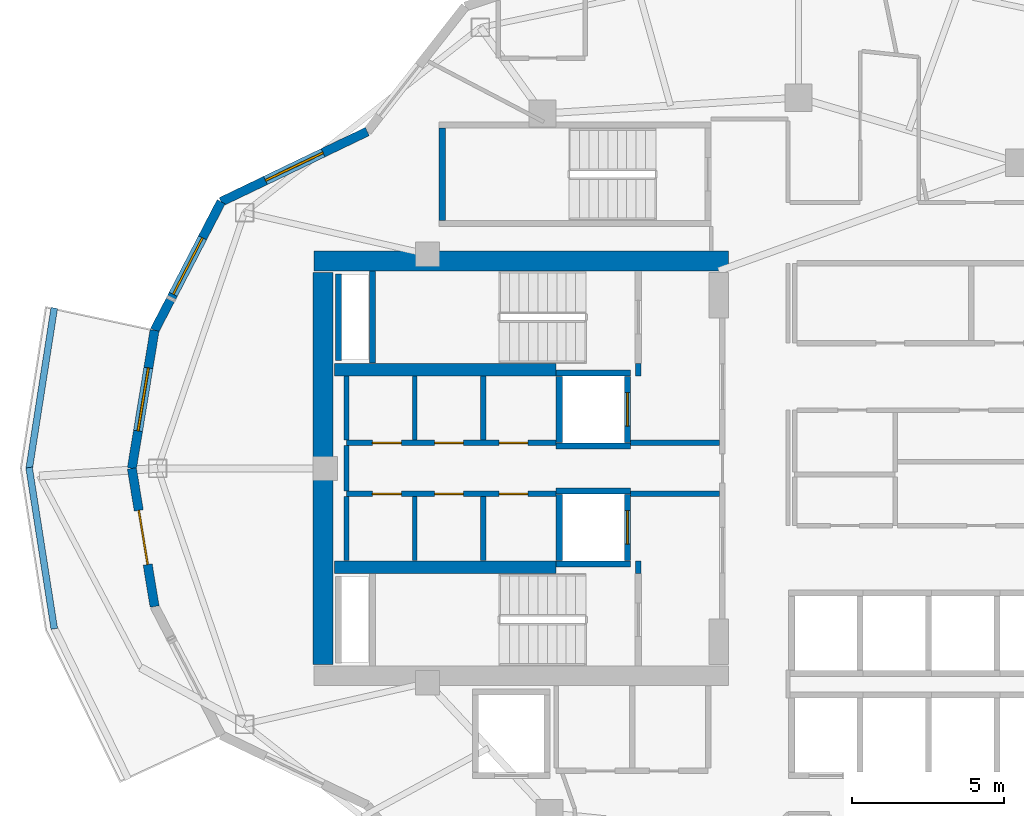
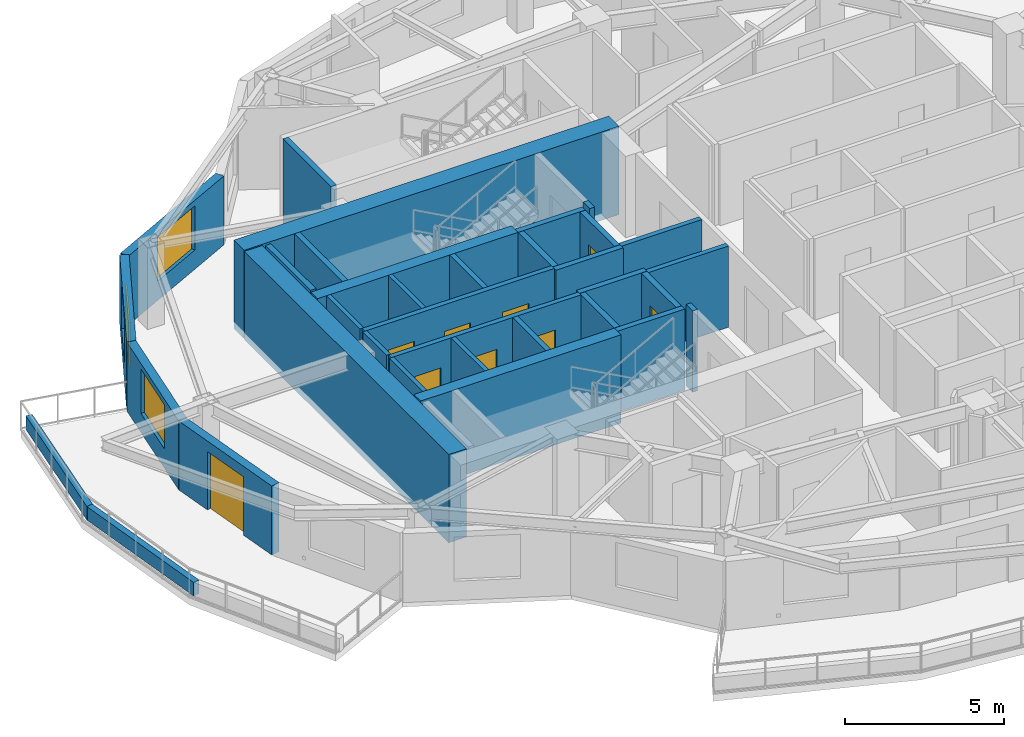
# One storey, part 4 of 11: 34 walls, 9 doors, 3 windows, 12 openings.
"""IFC4 building model written with IfcOpenShell, lengths in metres."""

from ifc_helpers import new_model, si_unit, direction, frame, frame_2d, origin, place, context, subcontext, project, spatial, rectangle, extrude, material, layer, layer_set, type_object, element, fill, save


model = new_model("IFC4")

# Units and contexts
model_context = context("Model", 3, precision=1e-05, world=origin(), true_north=direction((0.0, 1.0)))
body_context = subcontext(model_context, "Body", "Model", "MODEL_VIEW")
ifc_project = project(units=[si_unit("LENGTHUNIT", "METRE"), si_unit("AREAUNIT", "SQUARE_METRE"), si_unit("VOLUMEUNIT", "CUBIC_METRE"), si_unit("PLANEANGLEUNIT", "RADIAN"), si_unit("MASSUNIT", "GRAM", prefix="KILO")], contexts=[model_context])

# Site, building, storey
site_placement = place(None, origin())
site = spatial("IfcSite", under=ifc_project, at=site_placement, CompositionType="ELEMENT")
building_placement = place(site_placement, origin())
building = spatial("IfcBuilding", under=site, at=building_placement, Name="Kolvaren Gate Tower and Convention Centre", CompositionType="ELEMENT")
storey_placement = place(building_placement, frame((0.0, 0.0, 159.699951171875)))
storey = spatial("IfcBuildingStorey", under=building, at=storey_placement, Name="L41", CompositionType="ELEMENT", Elevation=159.699951171875)

# Walls
ifc_material_1 = material(Name="Autoclaved Aerated Masonry Blockwork Class 4 (4.0 MPa)", Category="masonry")
ifc_layer_1 = layer(ifc_material_1, 0.179931640625)
ifc_layer_set_1 = layer_set([ifc_layer_1], Name="Autoclaved Aerated Masonry Blockwork Class 4 (4.0 MPa)")
wall_type_1 = type_object("IfcWallType", Name="ARCH-WL-COMP-180", PredefinedType="SOLIDWALL", material=ifc_layer_set_1)
for number, where, z_axis, x_axis, name in (
    (1, (24.85009765625, 23.5400390625, 0.0), (0.0, 0.0, 1.0), (0.0, 1.0, 0.0), "Interior Partition WL-L41-INT-001"),
    (2, (24.85009765625, 30.0400390625, 0.0), (0.0, 0.0, 1.0), (0.0, 1.0, 0.0), "Interior Partition WL-L41-INT-002"),
):
    element("IfcWall", number, at=place(storey_placement, frame(where, z_axis=z_axis, x_axis=x_axis)), inside=storey, type_object=wall_type_1, Name=name, PredefinedType="SOLIDWALL", context=body_context, shape_type="SweptSolid", body=[
        extrude(rectangle(XDim=0.419921875, YDim=0.179931640625, at=frame_2d((0.2099609375, 0.0))), origin(), (0.0, 0.0, 1.0), 3.130126953125),
    ])

# Wall, openings, doors
wall_1_placement = place(storey_placement, frame((15.25, 27.840087890625, 0.0), z_axis=(0.0, 0.0, 1.0), x_axis=(1.0, 0.0, 0.0)))
wall_1 = element("IfcWall", 3, at=wall_1_placement, inside=storey, type_object=wall_type_1, Name="Interior Partition WL-L41-INT-004", PredefinedType="SOLIDWALL", context=body_context, shape_type="SweptSolid", body=[
    extrude(rectangle(XDim=6.89990234375, YDim=0.179931640625, at=frame_2d((3.449951171875, 0.0))), origin(), (0.0, 0.0, 1.0), 3.130126953125),
])
opening_1_placement = place(wall_1_placement, frame((5.02001953125, 0.0, 0.0)))
opening_1 = element("IfcOpeningElement", 4, at=opening_1_placement, cuts=wall_1, Name="Opening DR-01", PredefinedType="OPENING", context=body_context, shape_type="SweptSolid", body=[
    extrude(rectangle(XDim=0.949951171875, YDim=2.10009765625, at=frame_2d((0.47509765625, 1.050048828125))), frame((0.0, 0.099853515625, 0.0), z_axis=(0.0, -1.0, 0.0), x_axis=(1.0, 0.0, 0.0)), (0.0, 0.0, 1.0), 0.199951171875),
])
opening_2_placement = place(wall_1_placement, frame((0.85498046875, 0.0, 0.0)))
opening_2 = element("IfcOpeningElement", 5, at=opening_2_placement, cuts=wall_1, Name="Opening DR-01", PredefinedType="OPENING", context=body_context, shape_type="SweptSolid", body=[
    extrude(rectangle(XDim=0.949951171875, YDim=2.10009765625, at=frame_2d((0.47509765625, 1.050048828125))), frame((0.0, 0.099853515625, 0.0), z_axis=(0.0, -1.0, 0.0), x_axis=(1.0, 0.0, 0.0)), (0.0, 0.0, 1.0), 0.199951171875),
])
opening_3_placement = place(wall_1_placement, frame((2.89990234375, 0.0, 0.0)))
opening_3 = element("IfcOpeningElement", 6, at=opening_3_placement, cuts=wall_1, Name="Opening DR-01", PredefinedType="OPENING", context=body_context, shape_type="SweptSolid", body=[
    extrude(rectangle(XDim=0.949951171875, YDim=2.10009765625, at=frame_2d((0.47509765625, 1.050048828125))), frame((0.0, 0.099853515625, 0.0), z_axis=(0.0, -1.0, 0.0), x_axis=(1.0, 0.0, 0.0)), (0.0, 0.0, 1.0), 0.199951171875),
])
ifc_material_2 = material(Name="Painted Architectural Steelwork ASTM A500 Grade C 345 MPa", Category="steel")
door_type_1 = type_object("IfcDoorType", Name="ARCH-DR-RISER-950", OperationType="SINGLE_SWING_RIGHT", PredefinedType="DOOR", material=ifc_material_2)
door_1_placement = place(opening_1_placement, origin())
door_1 = element("IfcDoor", 7, at=door_1_placement, inside=storey, type_object=door_type_1, Name="Electrical Switchgear Closet Door", OperationType="SINGLE_SWING_RIGHT", OverallHeight=2.10009765625, OverallWidth=0.949951171875, PredefinedType="DOOR", context=body_context, shape_type="SweptSolid", body=[
    extrude(rectangle(XDim=0.949951171875, YDim=2.10009765625, at=frame_2d((0.47509765625, 1.050048828125))), frame((0.0, 0.02490234375, 0.0), z_axis=(0.0, -1.0, 0.0), x_axis=(1.0, 0.0, 0.0)), (0.0, 0.0, 1.0), 0.050048828125),
])
fill(opening_1, door_1)
door_2_placement = place(opening_2_placement, origin())
door_2 = element("IfcDoor", 8, at=door_2_placement, inside=storey, type_object=door_type_1, Name="Staff Accessible WC Door", OperationType="SINGLE_SWING_RIGHT", OverallHeight=2.10009765625, OverallWidth=0.949951171875, PredefinedType="DOOR", context=body_context, shape_type="SweptSolid", body=[
    extrude(rectangle(XDim=0.949951171875, YDim=2.10009765625, at=frame_2d((0.47509765625, 1.050048828125))), frame((0.0, 0.02490234375, 0.0), z_axis=(0.0, -1.0, 0.0), x_axis=(1.0, 0.0, 0.0)), (0.0, 0.0, 1.0), 0.050048828125),
])
fill(opening_2, door_2)
door_3_placement = place(opening_3_placement, origin())
door_3 = element("IfcDoor", 9, at=door_3_placement, inside=storey, type_object=door_type_1, Name="Housekeeping Sink Closet Door", OperationType="SINGLE_SWING_LEFT", OverallHeight=2.10009765625, OverallWidth=0.949951171875, PredefinedType="DOOR", context=body_context, shape_type="SweptSolid", body=[
    extrude(rectangle(XDim=0.949951171875, YDim=2.10009765625, at=frame_2d((0.47509765625, 1.050048828125))), frame((0.0, 0.02490234375, 0.0), z_axis=(0.0, -1.0, 0.0), x_axis=(1.0, 0.0, 0.0)), (0.0, 0.0, 1.0), 0.050048828125),
])
fill(opening_3, door_3)

# Wall
wall_2_placement = place(storey_placement, frame((24.60009765625, 27.840087890625, 0.0), z_axis=(0.0, 0.0, 1.0), x_axis=(1.0, 0.0, 0.0)))
element("IfcWall", 10, at=wall_2_placement, inside=storey, type_object=wall_type_1, Name="Interior Partition WL-L41-INT-004 (2)", PredefinedType="SOLIDWALL", context=body_context, shape_type="SweptSolid", body=[
    extrude(rectangle(XDim=2.927978515625, YDim=0.179931640625, at=frame_2d((1.4638671875, 0.0))), origin(), (0.0, 0.0, 1.0), 3.130126953125),
])

# Wall, openings, doors
wall_3_placement = place(storey_placement, frame((15.25, 26.159912109375, 0.0), z_axis=(0.0, 0.0, 1.0), x_axis=(1.0, 0.0, 0.0)))
wall_3 = element("IfcWall", 11, at=wall_3_placement, inside=storey, type_object=wall_type_1, Name="Interior Partition WL-L41-INT-005", PredefinedType="SOLIDWALL", context=body_context, shape_type="SweptSolid", body=[
    extrude(rectangle(XDim=6.89990234375, YDim=0.179931640625, at=frame_2d((3.449951171875, 0.0))), origin(), (0.0, 0.0, 1.0), 3.130126953125),
])
opening_4_placement = place(wall_3_placement, frame((5.02001953125, 0.0, 0.0)))
opening_4 = element("IfcOpeningElement", 12, at=opening_4_placement, cuts=wall_3, Name="Opening DR-01", PredefinedType="OPENING", context=body_context, shape_type="SweptSolid", body=[
    extrude(rectangle(XDim=0.949951171875, YDim=2.10009765625, at=frame_2d((0.47509765625, 1.050048828125))), frame((0.0, 0.099853515625, 0.0), z_axis=(0.0, -1.0, 0.0), x_axis=(1.0, 0.0, 0.0)), (0.0, 0.0, 1.0), 0.199951171875),
])
opening_5_placement = place(wall_3_placement, frame((0.85498046875, 0.0, 0.0)))
opening_5 = element("IfcOpeningElement", 13, at=opening_5_placement, cuts=wall_3, Name="Opening DR-01", PredefinedType="OPENING", context=body_context, shape_type="SweptSolid", body=[
    extrude(rectangle(XDim=0.949951171875, YDim=2.10009765625, at=frame_2d((0.47509765625, 1.050048828125))), frame((0.0, 0.099853515625, 0.0), z_axis=(0.0, -1.0, 0.0), x_axis=(1.0, 0.0, 0.0)), (0.0, 0.0, 1.0), 0.199951171875),
])
opening_6_placement = place(wall_3_placement, frame((2.89990234375, 0.0, 0.0)))
opening_6 = element("IfcOpeningElement", 14, at=opening_6_placement, cuts=wall_3, Name="Opening DR-01", PredefinedType="OPENING", context=body_context, shape_type="SweptSolid", body=[
    extrude(rectangle(XDim=0.949951171875, YDim=2.10009765625, at=frame_2d((0.47509765625, 1.050048828125))), frame((0.0, 0.099853515625, 0.0), z_axis=(0.0, -1.0, 0.0), x_axis=(1.0, 0.0, 0.0)), (0.0, 0.0, 1.0), 0.199951171875),
])
door_4_placement = place(opening_4_placement, origin())
door_4 = element("IfcDoor", 15, at=door_4_placement, inside=storey, type_object=door_type_1, Name="Domestic Water Meter Closet Door", OperationType="SINGLE_SWING_LEFT", OverallHeight=2.10009765625, OverallWidth=0.949951171875, PredefinedType="DOOR", context=body_context, shape_type="SweptSolid", body=[
    extrude(rectangle(XDim=0.949951171875, YDim=2.10009765625, at=frame_2d((0.47509765625, 1.050048828125))), frame((0.0, 0.02490234375, 0.0), z_axis=(0.0, -1.0, 0.0), x_axis=(1.0, 0.0, 0.0)), (0.0, 0.0, 1.0), 0.050048828125),
])
fill(opening_4, door_4)
door_5_placement = place(opening_5_placement, origin())
door_5 = element("IfcDoor", 16, at=door_5_placement, inside=storey, type_object=door_type_1, Name="Beverage Service Pantry Door", OperationType="SINGLE_SWING_RIGHT", OverallHeight=2.10009765625, OverallWidth=0.949951171875, PredefinedType="DOOR", context=body_context, shape_type="SweptSolid", body=[
    extrude(rectangle(XDim=0.949951171875, YDim=2.10009765625, at=frame_2d((0.47509765625, 1.050048828125))), frame((0.0, 0.02490234375, 0.0), z_axis=(0.0, -1.0, 0.0), x_axis=(1.0, 0.0, 0.0)), (0.0, 0.0, 1.0), 0.050048828125),
])
fill(opening_5, door_5)
door_6_placement = place(opening_6_placement, origin())
door_6 = element("IfcDoor", 17, at=door_6_placement, inside=storey, type_object=door_type_1, Name="Archive Supply Closet Door", OperationType="SINGLE_SWING_LEFT", OverallHeight=2.10009765625, OverallWidth=0.949951171875, PredefinedType="DOOR", context=body_context, shape_type="SweptSolid", body=[
    extrude(rectangle(XDim=0.949951171875, YDim=2.10009765625, at=frame_2d((0.47509765625, 1.050048828125))), frame((0.0, 0.02490234375, 0.0), z_axis=(0.0, -1.0, 0.0), x_axis=(1.0, 0.0, 0.0)), (0.0, 0.0, 1.0), 0.050048828125),
])
fill(opening_6, door_6)

# Walls
wall_4_placement = place(storey_placement, frame((24.60009765625, 26.159912109375, 0.0), z_axis=(0.0, 0.0, 1.0), x_axis=(1.0, 0.0, 0.0)))
element("IfcWall", 18, at=wall_4_placement, inside=storey, type_object=wall_type_1, Name="Interior Partition WL-L41-INT-005 (2)", PredefinedType="SOLIDWALL", context=body_context, shape_type="SweptSolid", body=[
    extrude(rectangle(XDim=2.927978515625, YDim=0.179931640625, at=frame_2d((1.4638671875, 0.0))), origin(), (0.0, 0.0, 1.0), 3.130126953125),
])
for number, where, z_axis, x_axis, name in (
    (19, (19.75, 23.9619140625, 0.0), (0.0, 0.0, 1.0), (0.0, 1.0, 0.0), "Interior Partition WL-L41-INT-007"),
    (20, (19.75, 27.931884765625, 0.0), (0.0, 0.0, 1.0), (0.0, 1.0, 0.0), "Interior Partition WL-L41-INT-008"),
):
    element("IfcWall", number, at=place(storey_placement, frame(where, z_axis=z_axis, x_axis=x_axis)), inside=storey, type_object=wall_type_1, Name=name, PredefinedType="SOLIDWALL", context=body_context, shape_type="SweptSolid", body=[
        extrude(rectangle(XDim=2.106201171875, YDim=0.179931640625, at=frame_2d((1.05322265625, 0.0))), origin(), (0.0, 0.0, 1.0), 3.130126953125),
    ])
ifc_material_3 = material(Name="Piedmont Cream Honed Limestone Cladding", Category="masonry")
ifc_layer_2 = layer(ifc_material_3, 0.219970703125)
ifc_layer_set_2 = layer_set([ifc_layer_2], Name="Piedmont Cream Honed Limestone Cladding")
wall_type_2 = type_object("IfcWallType", Name="ARCH-WL-PLANTER-220", PredefinedType="PARAPET", material=ifc_layer_set_2)
for number, where, z_axis, x_axis, name in (
    (21, (4.805908203125, 26.970703125, 0.0), (0.0, 0.0, 1.0), (0.154245214003, 0.988032597619, 0.0), "Vertical-Forest Balcony Stone Planter Kerb PK-L41-2.1"),
    (22, (4.805908203125, 27.029296875, 0.0), (0.0, 0.0, 1.0), (0.154245214003, -0.988032597619, 0.0), "Vertical-Forest Balcony Stone Planter Kerb PK-L41-2.2"),
):
    element("IfcWall", number, at=place(storey_placement, frame(where, z_axis=z_axis, x_axis=x_axis)), inside=storey, type_object=wall_type_2, Name=name, PredefinedType="PARAPET", context=body_context, shape_type="SweptSolid", body=[
        extrude(rectangle(XDim=5.37353515625, YDim=0.219970703125, at=frame_2d((2.686767578125, 0.0))), origin(), (0.0, 0.0, 1.0), 0.52001953125),
    ])
ifc_layer_3 = layer(ifc_material_1, 0.199951171875)
ifc_layer_set_3 = layer_set([ifc_layer_3], Name="Autoclaved Aerated Masonry Blockwork Class 4 (4.0 MPa)")
wall_type_3 = type_object("IfcWallType", Name="ARCH-WL-SHAFT-200", PredefinedType="SOLIDWALL", material=ifc_layer_set_3)
for number, where, z_axis, x_axis, name in (
    (23, (22.14990234375, 30.139892578125, 0.0), (0.0, 0.0, 1.0), (1.0, 0.0, 0.0), "Elevator FF-01 L41 Fire Shaft Wall N"),
    (24, (22.14990234375, 27.739990234375, 0.0), (0.0, 0.0, 1.0), (1.0, 0.0, 0.0), "Elevator FF-01 L41 Fire Shaft Wall S"),
):
    element("IfcWall", number, at=place(storey_placement, frame(where, z_axis=z_axis, x_axis=x_axis)), inside=storey, type_object=wall_type_3, Name=name, PredefinedType="SOLIDWALL", context=body_context, shape_type="SweptSolid", body=[
        extrude(rectangle(XDim=2.4501953125, YDim=0.199951171875, at=frame_2d((1.22509765625, 0.0))), origin(), (0.0, 0.0, 1.0), 3.130126953125),
    ])
wall_5_placement = place(storey_placement, frame((22.25, 27.85009765625, 0.0), z_axis=(0.0, 0.0, 1.0), x_axis=(0.0, 1.0, 0.0)))
element("IfcWall", 25, at=wall_5_placement, inside=storey, type_object=wall_type_3, Name="Elevator FF-01 L41 Fire Shaft Wall W", PredefinedType="SOLIDWALL", context=body_context, shape_type="SweptSolid", body=[
    extrude(rectangle(XDim=2.179931640625, YDim=0.199951171875, at=frame_2d((1.08984375, 0.0))), origin(), (0.0, 0.0, 1.0), 3.130126953125),
])

# Wall, opening, door
wall_6_placement = place(storey_placement, frame((24.5, 27.85009765625, 0.0), z_axis=(0.0, 0.0, 1.0), x_axis=(0.0, 1.0, 0.0)))
wall_6 = element("IfcWall", 26, at=wall_6_placement, inside=storey, type_object=wall_type_3, Name="Elevator FF-01 L41 Fire Shaft Wall E", PredefinedType="SOLIDWALL", context=body_context, shape_type="SweptSolid", body=[
    extrude(rectangle(XDim=2.179931640625, YDim=0.199951171875, at=frame_2d((1.08984375, 0.0))), origin(), (0.0, 0.0, 1.0), 3.130126953125),
])
opening_7_placement = place(wall_6_placement, frame((0.5400390625, 0.0, 0.0)))
opening_7 = element("IfcOpeningElement", 27, at=opening_7_placement, cuts=wall_6, Name="Opening LD", PredefinedType="OPENING", context=body_context, shape_type="SweptSolid", body=[
    extrude(rectangle(XDim=1.10009765625, YDim=2.199951171875, at=frame_2d((0.550048828125, 1.10009765625))), frame((0.0, 0.10986328125, 0.0), z_axis=(0.0, -1.0, 0.0), x_axis=(1.0, 0.0, 0.0)), (0.0, 0.0, 1.0), 0.219970703125),
])
ifc_material_4 = material(Name="Brushed Stainless Steel Grade 316L", Category="steel")
door_type_2 = type_object("IfcDoorType", Name="ARCH-DR-LIFT-1100", OperationType="SLIDING_TO_LEFT", PredefinedType="DOOR", material=ifc_material_4)
door_7_placement = place(opening_7_placement, origin())
door_7 = element("IfcDoor", 28, at=door_7_placement, inside=storey, type_object=door_type_2, Name="Elevator FF-01 L41 Sliding Landing Door", OperationType="SLIDING_TO_LEFT", OverallHeight=2.199951171875, OverallWidth=1.10009765625, PredefinedType="DOOR", context=body_context, shape_type="SweptSolid", body=[
    extrude(rectangle(XDim=1.10009765625, YDim=2.199951171875, at=frame_2d((0.550048828125, 1.10009765625))), frame((0.0, 0.02490234375, 0.0), z_axis=(0.0, -1.0, 0.0), x_axis=(1.0, 0.0, 0.0)), (0.0, 0.0, 1.0), 0.050048828125),
])
fill(opening_7, door_7)

# Walls
for number, where, z_axis, x_axis, name in (
    (29, (22.14990234375, 26.260009765625, 0.0), (0.0, 0.0, 1.0), (1.0, 0.0, 0.0), "Elevator FF-02 L41 Fire Shaft Wall N"),
    (30, (22.14990234375, 23.860107421875, 0.0), (0.0, 0.0, 1.0), (1.0, 0.0, 0.0), "Elevator FF-02 L41 Fire Shaft Wall S"),
):
    element("IfcWall", number, at=place(storey_placement, frame(where, z_axis=z_axis, x_axis=x_axis)), inside=storey, type_object=wall_type_3, Name=name, PredefinedType="SOLIDWALL", context=body_context, shape_type="SweptSolid", body=[
        extrude(rectangle(XDim=2.4501953125, YDim=0.199951171875, at=frame_2d((1.22509765625, 0.0))), origin(), (0.0, 0.0, 1.0), 3.130126953125),
    ])
wall_7_placement = place(storey_placement, frame((22.25, 23.969970703125, 0.0), z_axis=(0.0, 0.0, 1.0), x_axis=(0.0, 1.0, 0.0)))
element("IfcWall", 31, at=wall_7_placement, inside=storey, type_object=wall_type_3, Name="Elevator FF-02 L41 Fire Shaft Wall W", PredefinedType="SOLIDWALL", context=body_context, shape_type="SweptSolid", body=[
    extrude(rectangle(XDim=2.179931640625, YDim=0.199951171875, at=frame_2d((1.08984375, 0.0))), origin(), (0.0, 0.0, 1.0), 3.130126953125),
])

# Wall, opening, door
wall_8_placement = place(storey_placement, frame((24.5, 23.969970703125, 0.0), z_axis=(0.0, 0.0, 1.0), x_axis=(0.0, 1.0, 0.0)))
wall_8 = element("IfcWall", 32, at=wall_8_placement, inside=storey, type_object=wall_type_3, Name="Elevator FF-02 L41 Fire Shaft Wall E", PredefinedType="SOLIDWALL", context=body_context, shape_type="SweptSolid", body=[
    extrude(rectangle(XDim=2.179931640625, YDim=0.199951171875, at=frame_2d((1.08984375, 0.0))), origin(), (0.0, 0.0, 1.0), 3.130126953125),
])
opening_8_placement = place(wall_8_placement, frame((0.5400390625, 0.0, 0.0)))
opening_8 = element("IfcOpeningElement", 33, at=opening_8_placement, cuts=wall_8, Name="Opening LD", PredefinedType="OPENING", context=body_context, shape_type="SweptSolid", body=[
    extrude(rectangle(XDim=1.10009765625, YDim=2.199951171875, at=frame_2d((0.550048828125, 1.10009765625))), frame((0.0, 0.10986328125, 0.0), z_axis=(0.0, -1.0, 0.0), x_axis=(1.0, 0.0, 0.0)), (0.0, 0.0, 1.0), 0.219970703125),
])
door_8_placement = place(opening_8_placement, origin())
door_8 = element("IfcDoor", 34, at=door_8_placement, inside=storey, type_object=door_type_2, Name="Elevator FF-02 L41 Sliding Landing Door", OperationType="SLIDING_TO_LEFT", OverallHeight=2.199951171875, OverallWidth=1.10009765625, PredefinedType="DOOR", context=body_context, shape_type="SweptSolid", body=[
    extrude(rectangle(XDim=1.10009765625, YDim=2.199951171875, at=frame_2d((0.550048828125, 1.10009765625))), frame((0.0, 0.02490234375, 0.0), z_axis=(0.0, -1.0, 0.0), x_axis=(1.0, 0.0, 0.0)), (0.0, 0.0, 1.0), 0.050048828125),
])
fill(opening_8, door_8)

# Wall
wall_9_placement = place(storey_placement, frame((14.989990234375, 30.550048828125, 0.0), z_axis=(0.0, 0.0, 1.0), x_axis=(0.0, 1.0, 0.0)))
element("IfcWall", 35, at=wall_9_placement, inside=storey, type_object=wall_type_3, Name="Vertical Shaft HVR L41 EI-120 Enclosure Wall W", PredefinedType="SOLIDWALL", context=body_context, shape_type="SweptSolid", body=[
    extrude(rectangle(XDim=2.849853515625, YDim=0.199951171875, at=frame_2d((1.4248046875, 0.0))), origin(), (0.0, 0.0, 1.0), 3.130126953125),
])

# Wall, opening, window
ifc_layer_4 = layer(ifc_material_3, 0.300048828125)
ifc_layer_set_4 = layer_set([ifc_layer_4], Name="Piedmont Cream Honed Limestone Cladding")
wall_type_4 = type_object("IfcWallType", Name="ARCH-WL-STONE-300", PredefinedType="SOLIDWALL", material=ifc_layer_set_4)
wall_10_placement = place(storey_placement, frame((11.126708984375, 35.77490234375, 0.0), z_axis=(0.0, 0.0, 1.0), x_axis=(0.901353070301, 0.433085029363, 0.0)))
wall_10 = element("IfcWall", 36, at=wall_10_placement, inside=storey, type_object=wall_type_4, Name="Tower L41 Honed Stone Spandrel Wall EW-09", PredefinedType="SOLIDWALL", context=body_context, shape_type="SweptSolid", body=[
    extrude(rectangle(XDim=5.336181640625, YDim=0.300048828125, at=frame_2d((2.66796875, 0.0))), origin(), (0.0, 0.0, 1.0), 2.653076171875),
])
opening_9_placement = place(wall_10_placement, frame((1.617919921875, 0.0, 0.739990234375)))
opening_9 = element("IfcOpeningElement", 37, at=opening_9_placement, cuts=wall_10, Name="Opening W-02", PredefinedType="OPENING", context=body_context, shape_type="SweptSolid", body=[
    extrude(rectangle(XDim=2.10009765625, YDim=1.699951171875, at=frame_2d((1.050048828125, 0.85009765625))), frame((0.0, 0.159912109375, 0.0), z_axis=(0.0, -1.0, 0.0), x_axis=(1.0, 0.0, 0.0)), (0.0, 0.0, 1.0), 0.320068359375),
])
ifc_material_5 = material(Name="Low-E Triple Insulated Glazing Unit 44 mm", Category="glass")
window_type = type_object("IfcWindowType", Name="ARCH-WN-HTL-2100", PartitioningType="SINGLE_PANEL", PredefinedType="WINDOW", material=ifc_material_5)
window_1_placement = place(opening_9_placement, origin())
window_1 = element("IfcWindow", 38, at=window_1_placement, inside=storey, type_object=window_type, Name="Tower L41 Punched Stone Facade Window W-09", OverallHeight=1.699951171875, OverallWidth=2.10009765625, PartitioningType="SINGLE_PANEL", PredefinedType="WINDOW", context=body_context, shape_type="SweptSolid", body=[
    extrude(rectangle(XDim=2.10009765625, YDim=1.699951171875, at=frame_2d((1.050048828125, 0.85009765625))), frame((0.0, 0.030029296875, 0.0), z_axis=(0.0, -1.0, 0.0), x_axis=(1.0, 0.0, 0.0)), (0.0, 0.0, 1.0), 0.06005859375),
])
fill(opening_9, window_1)

wall_11_placement = place(storey_placement, frame((8.93505859375, 31.542236328125, 0.0), z_axis=(0.0, 0.0, 1.0), x_axis=(0.459810251451, 0.888017191647, 0.0)))
wall_11 = element("IfcWall", 39, at=wall_11_placement, inside=storey, type_object=wall_type_4, Name="Tower L41 Honed Stone Spandrel Wall EW-10", PredefinedType="SOLIDWALL", context=body_context, shape_type="SweptSolid", body=[
    extrude(rectangle(XDim=4.766357421875, YDim=0.300048828125, at=frame_2d((2.38330078125, 0.0))), origin(), (0.0, 0.0, 1.0), 2.653076171875),
])
opening_10_placement = place(wall_11_placement, frame((1.3330078125, 0.0, 0.739990234375)))
opening_10 = element("IfcOpeningElement", 40, at=opening_10_placement, cuts=wall_11, Name="Opening W-02", PredefinedType="OPENING", context=body_context, shape_type="SweptSolid", body=[
    extrude(rectangle(XDim=2.10009765625, YDim=1.699951171875, at=frame_2d((1.050048828125, 0.85009765625))), frame((0.0, 0.159912109375, 0.0), z_axis=(0.0, -1.0, 0.0), x_axis=(1.0, 0.0, 0.0)), (0.0, 0.0, 1.0), 0.320068359375),
])
window_2_placement = place(opening_10_placement, origin())
window_2 = element("IfcWindow", 41, at=window_2_placement, inside=storey, type_object=window_type, Name="Tower L41 Punched Stone Facade Window W-10", OverallHeight=1.699951171875, OverallWidth=2.10009765625, PartitioningType="SINGLE_PANEL", PredefinedType="WINDOW", context=body_context, shape_type="SweptSolid", body=[
    extrude(rectangle(XDim=2.10009765625, YDim=1.699951171875, at=frame_2d((1.050048828125, 0.85009765625))), frame((0.0, 0.030029296875, 0.0), z_axis=(0.0, -1.0, 0.0), x_axis=(1.0, 0.0, 0.0)), (0.0, 0.0, 1.0), 0.06005859375),
])
fill(opening_10, window_2)

wall_12_placement = place(storey_placement, frame((8.1875, 27.0, 0.0), z_axis=(0.0, 0.0, 1.0), x_axis=(0.162394765401, 0.986725868806, 0.0)))
wall_12 = element("IfcWall", 42, at=wall_12_placement, inside=storey, type_object=wall_type_4, Name="Tower L41 Honed Stone Spandrel Wall EW-11", PredefinedType="SOLIDWALL", context=body_context, shape_type="SweptSolid", body=[
    extrude(rectangle(XDim=4.603271484375, YDim=0.300048828125, at=frame_2d((2.3017578125, 0.0))), origin(), (0.0, 0.0, 1.0), 2.653076171875),
])
opening_11_placement = place(wall_12_placement, frame((1.251953125, 0.0, 0.739990234375)))
opening_11 = element("IfcOpeningElement", 43, at=opening_11_placement, cuts=wall_12, Name="Opening W-02", PredefinedType="OPENING", context=body_context, shape_type="SweptSolid", body=[
    extrude(rectangle(XDim=2.10009765625, YDim=1.699951171875, at=frame_2d((1.050048828125, 0.85009765625))), frame((0.0, 0.159912109375, 0.0), z_axis=(0.0, -1.0, 0.0), x_axis=(1.0, 0.0, 0.0)), (0.0, 0.0, 1.0), 0.320068359375),
])
window_3_placement = place(opening_11_placement, origin())
window_3 = element("IfcWindow", 44, at=window_3_placement, inside=storey, type_object=window_type, Name="Tower L41 Punched Stone Facade Window W-11", OverallHeight=1.699951171875, OverallWidth=2.10009765625, PartitioningType="SINGLE_PANEL", PredefinedType="WINDOW", context=body_context, shape_type="SweptSolid", body=[
    extrude(rectangle(XDim=2.10009765625, YDim=1.699951171875, at=frame_2d((1.050048828125, 0.85009765625))), frame((0.0, 0.030029296875, 0.0), z_axis=(0.0, -1.0, 0.0), x_axis=(1.0, 0.0, 0.0)), (0.0, 0.0, 1.0), 0.06005859375),
])
fill(opening_11, window_3)

# Wall, opening, door
wall_13_placement = place(storey_placement, frame((8.1875, 27.0, 0.0), z_axis=(0.0, 0.0, 1.0), x_axis=(0.162394765401, -0.986725868806, 0.0)))
wall_13 = element("IfcWall", 45, at=wall_13_placement, inside=storey, type_object=wall_type_4, Name="Tower L41 Honed Stone Spandrel Wall EW-12", PredefinedType="SOLIDWALL", context=body_context, shape_type="SweptSolid", body=[
    extrude(rectangle(XDim=4.603271484375, YDim=0.300048828125, at=frame_2d((2.3017578125, 0.0))), origin(), (0.0, 0.0, 1.0), 2.653076171875),
])
opening_12_placement = place(wall_13_placement, frame((1.402099609375, 0.0, 0.0)))
opening_12 = element("IfcOpeningElement", 46, at=opening_12_placement, cuts=wall_13, Name="Opening DB-01", PredefinedType="OPENING", context=body_context, shape_type="SweptSolid", body=[
    extrude(rectangle(XDim=1.800048828125, YDim=2.25, at=frame_2d((0.89990234375, 1.125))), frame((0.0, 0.159912109375, 0.0), z_axis=(0.0, -1.0, 0.0), x_axis=(1.0, 0.0, 0.0)), (0.0, 0.0, 1.0), 0.320068359375),
])
ifc_material_6 = material(Name="Anodized Architectural Aluminium Alloy 6063-T6", Category="aluminium")
door_type_3 = type_object("IfcDoorType", Name="ARCH-DR-BALC-1800", OperationType="SLIDING_TO_LEFT", PredefinedType="DOOR", material=ifc_material_6)
door_9_placement = place(opening_12_placement, frame((1.800048828125, 0.0, 0.0), z_axis=(0.0, 0.0, 1.0), x_axis=(-1.0, 0.0, 0.0)))
door_9 = element("IfcDoor", 47, at=door_9_placement, inside=storey, type_object=door_type_3, Name="Planted Sky Terrace Access Door DB-L41-12", OperationType="SLIDING_TO_LEFT", OverallHeight=2.25, OverallWidth=1.800048828125, PredefinedType="DOOR", context=body_context, shape_type="SweptSolid", body=[
    extrude(rectangle(XDim=1.800048828125, YDim=2.25, at=frame_2d((0.89990234375, 1.125))), frame((0.0, 0.02490234375, 0.0), z_axis=(0.0, -1.0, 0.0), x_axis=(1.0, 0.0, 0.0)), (0.0, 0.0, 1.0), 0.050048828125),
])
fill(opening_12, door_9)

# Walls
ifc_material_7 = material(Name="Moisture-Resistant Cement-Board Acoustic Partition", Category="gypsum")
ifc_layer_5 = layer(ifc_material_7, 0.14990234375)
ifc_layer_set_5 = layer_set([ifc_layer_5], Name="Moisture-Resistant Cement-Board Acoustic Partition")
wall_type_5 = type_object("IfcWallType", Name="ARCH-WL-WET-150", PredefinedType="PARTITIONING", material=ifc_layer_set_5)
wall_14_placement = place(storey_placement, frame((15.25, 23.9619140625, 0.0), z_axis=(0.0, 0.0, 1.0), x_axis=(0.0, 1.0, 0.0)))
element("IfcWall", 48, at=wall_14_placement, inside=storey, type_object=wall_type_5, Name="Interior Partition WL-L41-INT-006", PredefinedType="PARTITIONING", context=body_context, shape_type="SweptSolid", body=[
    extrude(rectangle(XDim=2.106201171875, YDim=0.14990234375, at=frame_2d((1.05322265625, 0.0))), origin(), (0.0, 0.0, 1.0), 3.130126953125),
])
wall_15_placement = place(storey_placement, frame((15.25, 26.251953125, 0.0), z_axis=(0.0, 0.0, 1.0), x_axis=(0.0, 1.0, 0.0)))
element("IfcWall", 49, at=wall_15_placement, inside=storey, type_object=wall_type_5, Name="Interior Partition WL-L41-INT-006 (2)", PredefinedType="PARTITIONING", context=body_context, shape_type="SweptSolid", body=[
    extrude(rectangle(XDim=1.49609375, YDim=0.14990234375, at=frame_2d((0.748046875, 0.0))), origin(), (0.0, 0.0, 1.0), 3.130126953125),
])
for number, where, z_axis, x_axis, name in (
    (50, (15.25, 27.931884765625, 0.0), (0.0, 0.0, 1.0), (0.0, 1.0, 0.0), "Interior Partition WL-L41-INT-006 (3)"),
    (51, (17.5, 23.9619140625, 0.0), (0.0, 0.0, 1.0), (0.0, 1.0, 0.0), "Interior Partition WL-L41-INT-009"),
    (52, (17.5, 27.931884765625, 0.0), (0.0, 0.0, 1.0), (0.0, 1.0, 0.0), "Interior Partition WL-L41-INT-010"),
):
    element("IfcWall", number, at=place(storey_placement, frame(where, z_axis=z_axis, x_axis=x_axis)), inside=storey, type_object=wall_type_5, Name=name, PredefinedType="PARTITIONING", context=body_context, shape_type="SweptSolid", body=[
        extrude(rectangle(XDim=2.106201171875, YDim=0.14990234375, at=frame_2d((1.05322265625, 0.0))), origin(), (0.0, 0.0, 1.0), 3.130126953125),
    ])
ifc_material_8 = material(Name="Concrete C50/60", Category="concrete")
ifc_layer_6 = layer(ifc_material_8, 0.419921875)
ifc_layer_set_6 = layer_set([ifc_layer_6], Name="Concrete C50/60")
wall_type_6 = type_object("IfcWallType", Name="STR-WL-CONV-420", PredefinedType="SHEAR", material=ifc_layer_set_6)
for number, where, z_axis, x_axis, name in (
    (53, (14.85009765625, 30.25, -0.27001953125), (0.0, 0.0, 1.0), (1.0, 0.0, 0.0), "Tower L41 Offset Core Shear Wall WN"),
    (54, (14.85009765625, 23.75, -0.27001953125), (0.0, 0.0, 1.0), (1.0, 0.0, 0.0), "Tower L41 Offset Core Shear Wall WS"),
):
    element("IfcWall", number, at=place(storey_placement, frame(where, z_axis=z_axis, x_axis=x_axis)), inside=storey, type_object=wall_type_6, Name=name, PredefinedType="SHEAR", context=body_context, shape_type="SweptSolid", body=[
        extrude(rectangle(XDim=7.2998046875, YDim=0.419921875, at=frame_2d((3.64990234375, 0.0))), origin(), (0.0, 0.0, 1.0), 3.400146484375),
    ])
ifc_material_9 = material(Name="Concrete C60/75", Category="concrete")
ifc_layer_7 = layer(ifc_material_9, 0.64990234375)
ifc_layer_set_7 = layer_set([ifc_layer_7], Name="Concrete C60/75")
wall_type_7 = type_object("IfcWallType", Name="STR-WL-CORE-650", PredefinedType="SHEAR", material=ifc_layer_set_7)
wall_16_placement = place(storey_placement, frame((14.175048828125, 33.824951171875, -0.27001953125), z_axis=(0.0, 0.0, 1.0), x_axis=(1.0, 0.0, 0.0)))
element("IfcWall", 55, at=wall_16_placement, inside=storey, type_object=wall_type_7, Name="Tower L41 Offset Core Shear Wall N", PredefinedType="SHEAR", context=body_context, shape_type="SweptSolid", body=[
    extrude(rectangle(XDim=13.64990234375, YDim=0.64990234375, at=frame_2d((6.824951171875, 0.0))), origin(), (0.0, 0.0, 1.0), 3.400146484375),
])
wall_17_placement = place(storey_placement, frame((14.47509765625, 20.550048828125, -0.27001953125), z_axis=(0.0, 0.0, 1.0), x_axis=(0.0, 1.0, 0.0)))
element("IfcWall", 56, at=wall_17_placement, inside=storey, type_object=wall_type_7, Name="Tower L41 Offset Core Shear Wall W", PredefinedType="SHEAR", context=body_context, shape_type="SweptSolid", body=[
    extrude(rectangle(XDim=12.89990234375, YDim=0.64990234375, at=frame_2d((6.449951171875, 0.0))), origin(), (0.0, 0.0, 1.0), 3.400146484375),
])
ifc_layer_8 = layer(ifc_material_8, 0.199951171875)
ifc_layer_set_8 = layer_set([ifc_layer_8], Name="Concrete C50/60")
wall_type_8 = type_object("IfcWallType", Name="STR-WL-SHAFT-200", PredefinedType="SHEAR", material=ifc_layer_set_8)
wall_18_placement = place(storey_placement, frame((16.10009765625, 30.4619140625, -0.27001953125), z_axis=(0.0, 0.0, 1.0), x_axis=(0.0, 1.0, 0.0)))
element("IfcWall", 57, at=wall_18_placement, inside=storey, type_object=wall_type_8, Name="Tower North Exit Stair ST-T1 L41 Structural Shear Enclosure Wall FAR", PredefinedType="SHEAR", context=body_context, shape_type="SweptSolid", body=[
    extrude(rectangle(XDim=3.0361328125, YDim=0.199951171875, at=frame_2d((1.51806640625, 0.0))), origin(), (0.0, 0.0, 1.0), 3.400146484375),
])
wall_19_placement = place(storey_placement, frame((18.39990234375, 35.159912109375, -0.27001953125), z_axis=(0.0, 0.0, 1.0), x_axis=(0.0, 1.0, 0.0)))
element("IfcWall", 58, at=wall_19_placement, inside=storey, type_object=wall_type_8, Name="Tower Mid-Zone Exit Stair ST-T3 L41 Structural Shear Enclosure Wall FAR", PredefinedType="SHEAR", context=body_context, shape_type="SweptSolid", body=[
    extrude(rectangle(XDim=3.0400390625, YDim=0.199951171875, at=frame_2d((1.52001953125, 0.0))), origin(), (0.0, 0.0, 1.0), 3.400146484375),
])

save(model, "model.ifc")
